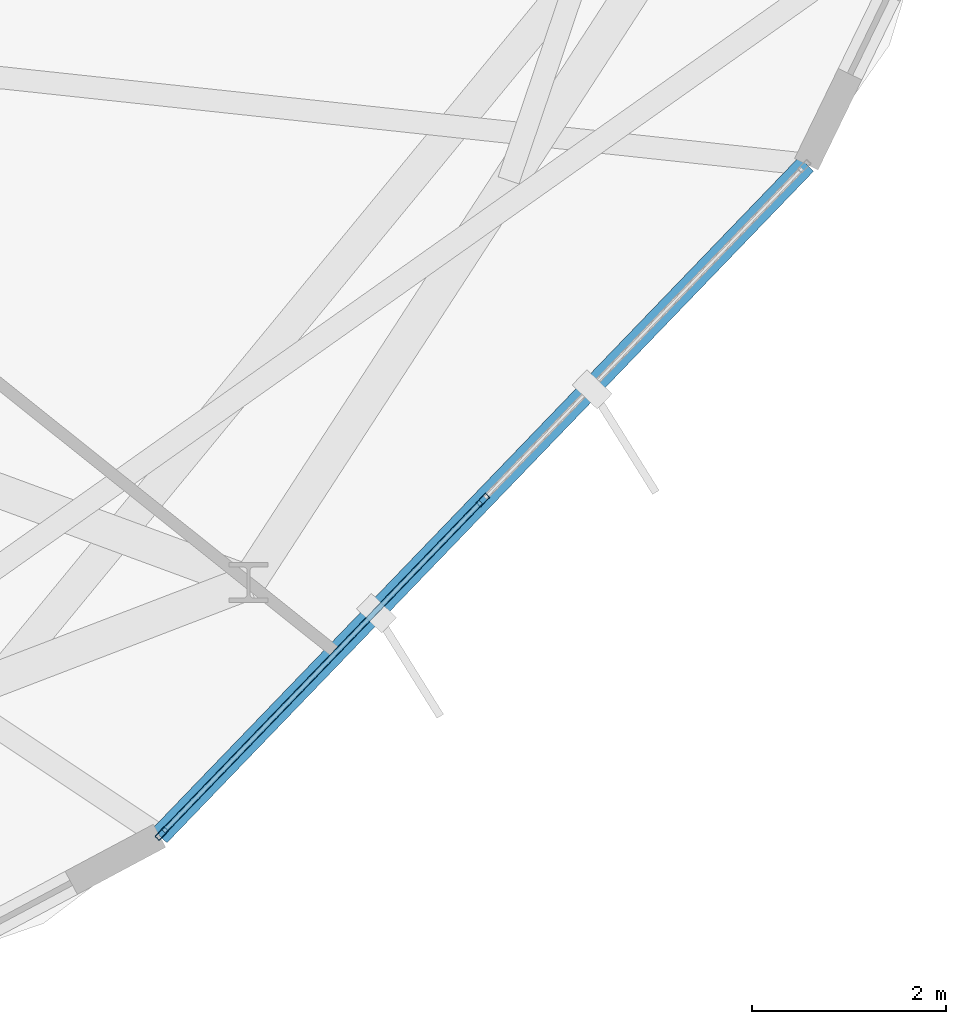
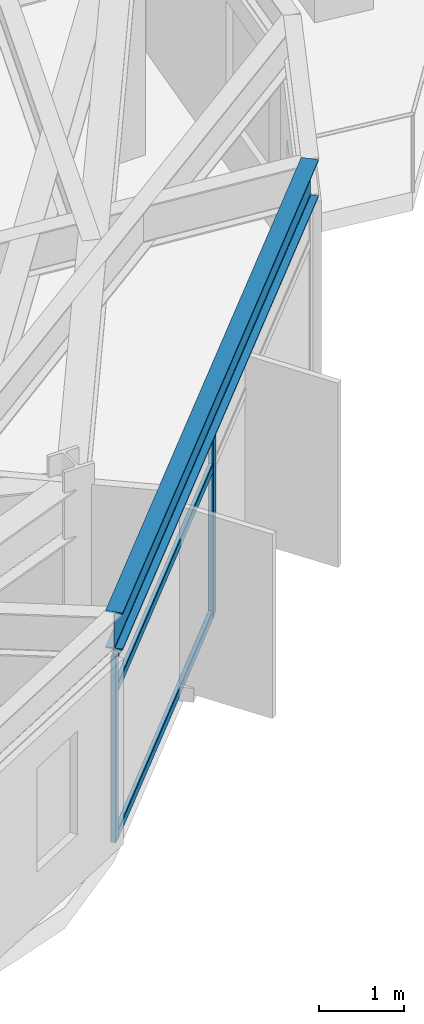
# One storey, part 11 of 28: 5 members, 1 beam, 1 element without a shape of its own.
"""IFC4 building model written with IfcOpenShell, lengths in metres."""

from ifc_helpers import new_model, si_unit, direction, frame, origin, origin_2d, place, context, subcontext, project, spatial, hollow_rectangle, i_section, extrude, material, layer, layer_set, material_profile, profile_set, type_object, element, aggregate, save


model = new_model("IFC4")

# Units and contexts
model_context = context("Model", 3, precision=1e-05, world=origin(), true_north=direction((0.0, 1.0)))
body_context = subcontext(model_context, "Body", "Model", "MODEL_VIEW")
ifc_project = project(units=[si_unit("LENGTHUNIT", "METRE"), si_unit("AREAUNIT", "SQUARE_METRE"), si_unit("VOLUMEUNIT", "CUBIC_METRE"), si_unit("PLANEANGLEUNIT", "RADIAN"), si_unit("MASSUNIT", "GRAM", prefix="KILO")], contexts=[model_context])

# Site, building, storey
site_placement = place(None, origin())
site = spatial("IfcSite", under=ifc_project, at=site_placement, CompositionType="ELEMENT")
building_placement = place(site_placement, origin())
building = spatial("IfcBuilding", under=site, at=building_placement, Name="Soratama Intermodal Tower", CompositionType="ELEMENT")
storey_placement = place(building_placement, frame((0.0, 0.0, 205.0)))
storey = spatial("IfcBuildingStorey", under=building, at=storey_placement, Name="L51", CompositionType="ELEMENT", Elevation=205.0)

# Beam
ifc_material_1 = material(Name="Structural steel ASTM A992 Grade 50", Category="steel")
ifc_material_profile_1 = material_profile(ifc_material_1, i_section(OverallWidth=0.2099609375, OverallDepth=0.537109375, WebThickness=0.010986328125, FlangeThickness=0.017333984375, FilletRadius=0.012939453125, at=origin_2d()), Name="W21X68")
ifc_profile_set_1 = profile_set([ifc_material_profile_1], Name="Structural steel ASTM A992 Grade 50")
beam_type = type_object("IfcBeamType", Name="BM-SPN-W21X68", PredefinedType="SPANDREL", material=ifc_profile_set_1)
beam_placement = place(storey_placement, frame((55.787109375, 7.930908203125, 3.031494140625), z_axis=(0.693612438673, 0.720348377466, 0.0), x_axis=(-0.720348377466, 0.693612438673, 0.0)))
element("IfcBeam", 1, at=beam_placement, inside=storey, type_object=beam_type, Name="BS-L51-F08", PredefinedType="SPANDREL", context=body_context, shape_type="SweptSolid", body=[
    extrude(i_section(OverallWidth=0.2099609375, OverallDepth=0.537109375, WebThickness=0.010986328125, FlangeThickness=0.017333984375, FilletRadius=0.012939453125, at=origin_2d()), origin(), (0.0, 0.0, 1.0), 9.624755859375),
])

# Curtain wall, members
ifc_material_2 = material(Name="Double-glazed aluminium curtain wall", Category="aluminium")
ifc_layer = layer(ifc_material_2, 0.159912109375)
ifc_layer_set = layer_set([ifc_layer], Name="Double-glazed aluminium curtain wall")
curtain_wall_type = type_object("IfcCurtainWallType", Name="CW-SYS-5", PredefinedType="NOTDEFINED", material=ifc_layer_set)
curtain_wall_placement = place(storey_placement, origin())
curtain_wall = element("IfcCurtainWall", 2, at=curtain_wall_placement, inside=storey, type_object=curtain_wall_type, Name="L51 Faceted Curtain Wall F08", PredefinedType="NOTDEFINED")
ifc_material_3 = material(Name="Anodised aluminium AA 6063-T6", Category="aluminium")
ifc_material_profile_2 = material_profile(ifc_material_3, hollow_rectangle(XDim=0.06494140625, YDim=0.139892578125, WallThickness=0.0048828125, InnerFilletRadius=0.0048828125, OuterFilletRadius=0.010009765625, at=origin_2d()), Name="CWM140X65X5")
ifc_profile_set_2 = profile_set([ifc_material_profile_2], Name="Anodised aluminium AA 6063-T6")
member_type_1 = type_object("IfcMemberType", Name="MT-CWM-5", PredefinedType="MULLION", material=ifc_profile_set_2)
member_1_placement = place(storey_placement, frame((55.80810546875, 7.953125, 0.0), z_axis=(0.0, 0.0, 1.0), x_axis=(-0.720307138227, 0.693655264969, 0.0)))
member_1 = element("IfcMember", 3, at=member_1_placement, type_object=member_type_1, Name="CW-5 mullion 1", PredefinedType="MULLION", context=body_context, shape_type="SweptSolid", body=[
    extrude(hollow_rectangle(XDim=0.06494140625, YDim=0.139892578125, WallThickness=0.0048828125, InnerFilletRadius=0.0048828125, OuterFilletRadius=0.010009765625, at=origin_2d()), origin(), (0.0, 0.0, 1.0), 2.678955078125),
])
member_2_placement = place(storey_placement, frame((59.125244140625, 11.3974609375, 0.0), z_axis=(0.0, 0.0, 1.0), x_axis=(-0.720307138227, 0.693655264969, 0.0)))
member_2 = element("IfcMember", 4, at=member_2_placement, type_object=member_type_1, Name="CW-5 mullion 2", PredefinedType="MULLION", context=body_context, shape_type="SweptSolid", body=[
    extrude(hollow_rectangle(XDim=0.06494140625, YDim=0.139892578125, WallThickness=0.0048828125, InnerFilletRadius=0.0048828125, OuterFilletRadius=0.010009765625, at=origin_2d()), origin(), (0.0, 0.0, 1.0), 2.678955078125),
])
ifc_material_4 = material(Name="Anodised aluminium AA 6063-T6", Category="aluminium")
ifc_material_profile_3 = material_profile(ifc_material_4, hollow_rectangle(XDim=0.06005859375, YDim=0.1298828125, WallThickness=0.0048828125, InnerFilletRadius=0.0048828125, OuterFilletRadius=0.010009765625, at=origin_2d()), Name="CWT130X60X5")
ifc_profile_set_3 = profile_set([ifc_material_profile_3], Name="Anodised aluminium AA 6063-T6")
member_type_2 = type_object("IfcMemberType", Name="TT-CWT-2", PredefinedType="USERDEFINED", material=ifc_profile_set_3)
member_3_placement = place(storey_placement, frame((55.828857421875, 7.974609375, 0.030029296875), z_axis=(0.693668512081, 0.720294381033, 0.0), x_axis=(-0.720294381033, 0.693668512081, 0.0)))
member_3 = element("IfcMember", 5, at=member_3_placement, type_object=member_type_2, Name="CW-5 transom 1.1", ObjectType="TRANSOM", PredefinedType="USERDEFINED", context=body_context, shape_type="SweptSolid", body=[
    extrude(hollow_rectangle(XDim=0.06005859375, YDim=0.1298828125, WallThickness=0.0048828125, InnerFilletRadius=0.0048828125, OuterFilletRadius=0.010009765625, at=origin_2d()), origin(), (0.0, 0.0, 1.0), 4.72216796875),
])
member_4_placement = place(storey_placement, frame((55.828857421875, 7.974609375, 2.14990234375), z_axis=(0.693668512081, 0.720294381033, 0.0), x_axis=(-0.720294381033, 0.693668512081, 0.0)))
member_4 = element("IfcMember", 6, at=member_4_placement, type_object=member_type_2, Name="CW-5 transom 1.2", ObjectType="TRANSOM", PredefinedType="USERDEFINED", context=body_context, shape_type="SweptSolid", body=[
    extrude(hollow_rectangle(XDim=0.06005859375, YDim=0.1298828125, WallThickness=0.0048828125, InnerFilletRadius=0.0048828125, OuterFilletRadius=0.010009765625, at=origin_2d()), origin(), (0.0, 0.0, 1.0), 4.72216796875),
])
member_5_placement = place(storey_placement, frame((55.828857421875, 7.974609375, 2.64892578125), z_axis=(0.693668512081, 0.720294381033, 0.0), x_axis=(-0.720294381033, 0.693668512081, 0.0)))
member_5 = element("IfcMember", 7, at=member_5_placement, type_object=member_type_2, Name="CW-5 transom 1.3", ObjectType="TRANSOM", PredefinedType="USERDEFINED", context=body_context, shape_type="SweptSolid", body=[
    extrude(hollow_rectangle(XDim=0.06005859375, YDim=0.1298828125, WallThickness=0.0048828125, InnerFilletRadius=0.0048828125, OuterFilletRadius=0.010009765625, at=origin_2d()), origin(), (0.0, 0.0, 1.0), 4.72216796875),
])
aggregate(curtain_wall, [member_1, member_2, member_3, member_4, member_5])

save(model, "model.ifc")
